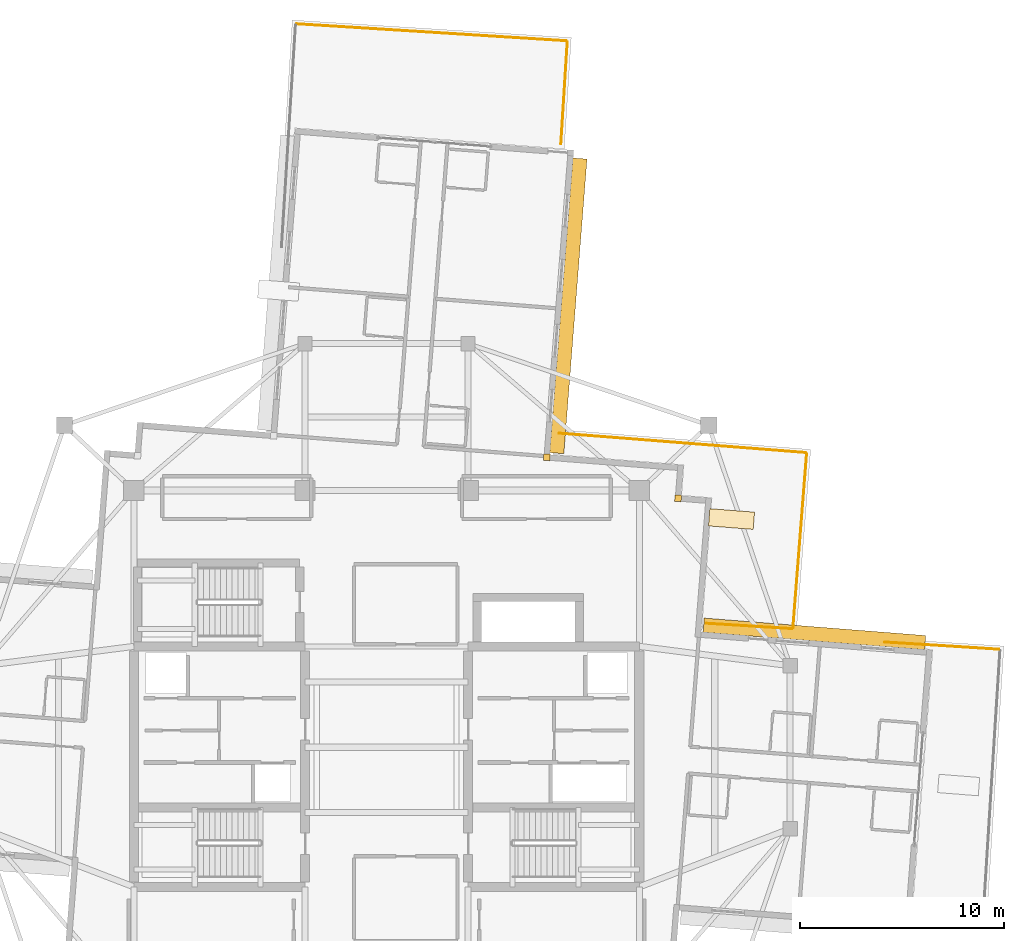
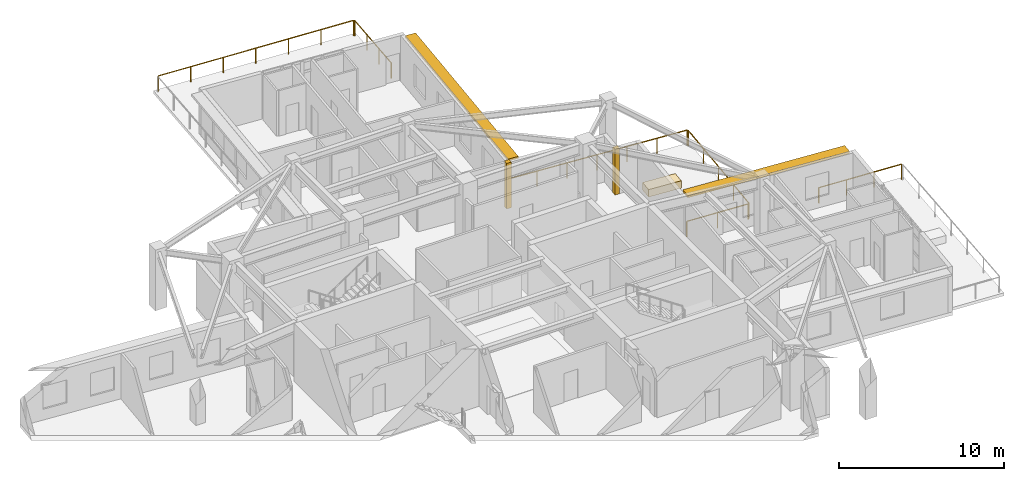
# One storey, part 23 of 23: 6 railings, 3 coverings, 2 shading devices.
"""IFC4 building model written with IfcOpenShell, lengths in metres."""

from ifc_helpers import new_model, si_unit, direction, frame, origin, origin_2d, place, context, subcontext, project, spatial, rectangle, circle, extrude, material, layer, layer_set, type_object, element, save


model = new_model("IFC4")

# Units and contexts
model_context = context("Model", 3, precision=1e-05, world=origin(), true_north=direction((0.0, 1.0)))
body_context = subcontext(model_context, "Body", "Model", "MODEL_VIEW")
ifc_project = project(units=[si_unit("LENGTHUNIT", "METRE"), si_unit("AREAUNIT", "SQUARE_METRE"), si_unit("VOLUMEUNIT", "CUBIC_METRE"), si_unit("PLANEANGLEUNIT", "RADIAN"), si_unit("MASSUNIT", "GRAM", prefix="KILO")], contexts=[model_context])

# Site, building, storey
site_placement = place(None, origin())
site = spatial("IfcSite", under=ifc_project, at=site_placement, CompositionType="ELEMENT")
building_placement = place(site_placement, origin())
building = spatial("IfcBuilding", under=site, at=building_placement, Name="Qingluan Cross Belvedere", CompositionType="ELEMENT")
storey_placement = place(building_placement, frame((0.0, 0.0, 245.39990234375)))
storey = spatial("IfcBuildingStorey", under=building, at=storey_placement, Name="L61", CompositionType="ELEMENT", Elevation=245.39990234375)

# Coverings
ifc_material_1 = material(Name="Precast concrete C45", Category="concrete")
ifc_layer_1 = layer(ifc_material_1, 0.1201171875, Name="ConcreteSpandrelCladding_120")
ifc_layer_set_1 = layer_set([ifc_layer_1], Name="Precast concrete C45")
covering_type_1 = type_object("IfcCoveringType", Name="ConcreteSpandrelCladding_120", PredefinedType="CLADDING", material=ifc_layer_set_1)
for number, where, z_axis, x_axis, name in (
    (1, (14.302490234375, 12.215576171875, 0.000244140625), (0.0, 0.0, 1.0), (0.996917333733, -0.078459095728, 0.0), "Corner closure L61-NE1"),
    (2, (7.860595703125, 14.22705078125, 0.000244140625), (0.0, 0.0, 1.0), (0.996917333733, -0.078459095728, 0.0), "Corner closure L61-NE2"),
):
    element("IfcCovering", number, at=place(storey_placement, frame(where, z_axis=z_axis, x_axis=x_axis)), inside=storey, type_object=covering_type_1, Name=name, PredefinedType="CLADDING", context=body_context, shape_type="SweptSolid", body=[
        extrude(rectangle(XDim=0.320068359375, YDim=0.320068359375, at=origin_2d()), origin(), (0.0, 0.0, 1.0), 3.3798828125),
    ])

# Shading devices
ifc_material_2 = material(Name="Precast concrete C45", Category="concrete")
ifc_layer_2 = layer(ifc_material_2, 0.139892578125, Name="ConcreteSunshadeBand_700")
ifc_layer_set_2 = layer_set([ifc_layer_2], Name="Precast concrete C45")
shading_device_type = type_object("IfcShadingDeviceType", Name="ConcreteSunshadeBand_700", PredefinedType="USERDEFINED", material=ifc_layer_set_2)
shading_device_1_placement = place(storey_placement, frame((20.990966796875, 5.560302734375, 3.2001953125), z_axis=(0.0, 0.0, 1.0), x_axis=(-0.996917315041, 0.078459333231, 0.0)))
element("IfcShadingDevice", 3, at=shading_device_1_placement, inside=storey, type_object=shading_device_type, Name="Concrete SUNSHADE L61-EB", ObjectType="SUNSHADE", PredefinedType="USERDEFINED", context=body_context, shape_type="SweptSolid", body=[
    extrude(rectangle(XDim=10.89990234375, YDim=0.699951171875, at=origin_2d()), origin(), (0.0, 0.0, 1.0), 0.159912109375),
])
shading_device_2_placement = place(storey_placement, frame((8.916748046875, 21.6572265625, 3.2001953125), z_axis=(0.0, 0.0, 1.0), x_axis=(0.078455721862, 0.996917599256, 0.0)))
element("IfcShadingDevice", 4, at=shading_device_2_placement, inside=storey, type_object=shading_device_type, Name="Concrete SUNSHADE L61-NA", ObjectType="SUNSHADE", PredefinedType="USERDEFINED", context=body_context, shape_type="SweptSolid", body=[
    extrude(rectangle(XDim=14.5, YDim=0.699951171875, at=origin_2d()), origin(), (0.0, 0.0, 1.0), 0.159912109375),
])

# Railings
ifc_material_3 = material(Name="Laminated glass and stainless steel balustrade", Category="steel")
railing_type = type_object("IfcRailingType", Name="TerraceGuardBalustrade_1150", PredefinedType="BALUSTRADE", material=ifc_material_3)
railing_1_placement = place(storey_placement, frame((24.447509765625, 5.155029296875, 0.0)))
element("IfcRailing", 5, at=railing_1_placement, inside=storey, type_object=railing_type, Name="Terrace guard L61-1", PredefinedType="BALUSTRADE", context=body_context, shape_type="SweptSolid", body=[
    extrude(circle(Radius=0.02392578125, at=origin_2d()), frame((0.0, 0.0, 1.1259765625), z_axis=(0.998027923751, -0.06277151753, 0.0), x_axis=(0.06277151753, 0.998027923751, 0.0)), (0.0, 0.0, 1.0), 5.6044921875),
    extrude(circle(Radius=0.02099609375, at=origin_2d()), origin(), (0.0, 0.0, 1.0), 1.101806640625),
    extrude(circle(Radius=0.02099609375, at=origin_2d()), frame((1.864501953125, -0.1171875, 0.0)), (0.0, 0.0, 1.0), 1.101806640625),
    extrude(circle(Radius=0.02099609375, at=origin_2d()), frame((3.72900390625, -0.234619140625, 0.0)), (0.0, 0.0, 1.0), 1.101806640625),
    extrude(circle(Radius=0.02099609375, at=origin_2d()), frame((5.593505859375, -0.351806640625, 0.0)), (0.0, 0.0, 1.0), 1.101806640625),
])
railing_2_placement = place(storey_placement, frame((-4.400390625, 35.486328125, 0.0)))
element("IfcRailing", 6, at=railing_2_placement, inside=storey, type_object=railing_type, Name="Terrace guard L61-2", PredefinedType="BALUSTRADE", context=body_context, shape_type="SweptSolid", body=[
    extrude(circle(Radius=0.02392578125, at=origin_2d()), frame((0.0, 0.0, 1.1259765625), z_axis=(0.998026951964, -0.062786966437, 0.0), x_axis=(0.062786966437, 0.998026951964, 0.0)), (0.0, 0.0, 1.0), 13.239990234375),
    extrude(circle(Radius=0.02099609375, at=origin_2d()), origin(), (0.0, 0.0, 1.0), 1.101806640625),
    extrude(circle(Radius=0.02099609375, at=origin_2d()), frame((2.202392578125, -0.138671875, 0.0)), (0.0, 0.0, 1.0), 1.101806640625),
    extrude(circle(Radius=0.02099609375, at=origin_2d()), frame((4.404541015625, -0.277099609375, 0.0)), (0.0, 0.0, 1.0), 1.101806640625),
    extrude(circle(Radius=0.02099609375, at=origin_2d()), frame((6.60693359375, -0.41552734375, 0.0)), (0.0, 0.0, 1.0), 1.101806640625),
    extrude(circle(Radius=0.02099609375, at=origin_2d()), frame((8.809326171875, -0.55419921875, 0.0)), (0.0, 0.0, 1.0), 1.101806640625),
    extrude(circle(Radius=0.02099609375, at=origin_2d()), frame((11.011474609375, -0.69287109375, 0.0)), (0.0, 0.0, 1.0), 1.101806640625),
    extrude(circle(Radius=0.02099609375, at=origin_2d()), frame((13.2138671875, -0.831298828125, 0.0)), (0.0, 0.0, 1.0), 1.101806640625),
])
railing_3_placement = place(storey_placement, frame((8.869384765625, 34.59130859375, 0.0)))
element("IfcRailing", 7, at=railing_3_placement, inside=storey, type_object=railing_type, Name="Terrace guard L61-3", PredefinedType="BALUSTRADE", context=body_context, shape_type="SweptSolid", body=[
    extrude(circle(Radius=0.02392578125, at=origin_2d()), frame((0.0, 0.0, 1.1259765625), z_axis=(-0.062776400829, -0.998027616601, 0.0), x_axis=(0.998027616601, -0.062776400829, 0.0)), (0.0, 0.0, 1.0), 5.001220703125),
    extrude(circle(Radius=0.02099609375, at=origin_2d()), origin(), (0.0, 0.0, 1.0), 1.101806640625),
    extrude(circle(Radius=0.02099609375, at=origin_2d()), frame((-0.104736328125, -1.663818359375, 0.0)), (0.0, 0.0, 1.0), 1.101806640625),
    extrude(circle(Radius=0.02099609375, at=origin_2d()), frame((-0.209228515625, -3.32763671875, 0.0)), (0.0, 0.0, 1.0), 1.101806640625),
    extrude(circle(Radius=0.02099609375, at=origin_2d()), frame((-0.31396484375, -4.991455078125, 0.0)), (0.0, 0.0, 1.0), 1.101806640625),
])
railing_4_placement = place(storey_placement, frame((8.474609375, 15.402587890625, 0.0)))
element("IfcRailing", 8, at=railing_4_placement, inside=storey, type_object=railing_type, Name="Terrace guard L61-1", PredefinedType="BALUSTRADE", context=body_context, shape_type="SweptSolid", body=[
    extrude(circle(Radius=0.02392578125, at=origin_2d()), frame((0.0, 0.0, 1.1259765625), z_axis=(0.996917250968, -0.078460147353, 0.0), x_axis=(0.078460147353, 0.996917250968, 0.0)), (0.0, 0.0, 1.0), 12.119873046875),
    extrude(circle(Radius=0.02099609375, at=origin_2d()), origin(), (0.0, 0.0, 1.0), 1.101806640625),
    extrude(circle(Radius=0.02099609375, at=origin_2d()), frame((2.013671875, -0.158447265625, 0.0)), (0.0, 0.0, 1.0), 1.101806640625),
    extrude(circle(Radius=0.02099609375, at=origin_2d()), frame((4.027587890625, -0.31689453125, 0.0)), (0.0, 0.0, 1.0), 1.101806640625),
    extrude(circle(Radius=0.02099609375, at=origin_2d()), frame((6.041259765625, -0.4755859375, 0.0)), (0.0, 0.0, 1.0), 1.101806640625),
    extrude(circle(Radius=0.02099609375, at=origin_2d()), frame((8.054931640625, -0.634033203125, 0.0)), (0.0, 0.0, 1.0), 1.101806640625),
    extrude(circle(Radius=0.02099609375, at=origin_2d()), frame((10.06884765625, -0.79248046875, 0.0)), (0.0, 0.0, 1.0), 1.101806640625),
    extrude(circle(Radius=0.02099609375, at=origin_2d()), frame((12.08251953125, -0.950927734375, 0.0)), (0.0, 0.0, 1.0), 1.101806640625),
])
railing_5_placement = place(storey_placement, frame((20.6123046875, 14.38720703125, 0.0)))
element("IfcRailing", 9, at=railing_5_placement, inside=storey, type_object=railing_type, Name="Terrace guard L61-2", PredefinedType="BALUSTRADE", context=body_context, shape_type="SweptSolid", body=[
    extrude(circle(Radius=0.02392578125, at=origin_2d()), frame((0.0, 0.0, 1.1259765625), z_axis=(-0.078464098063, -0.996916940028, 0.0), x_axis=(0.996916940028, -0.078464098063, 0.0)), (0.0, 0.0, 1.0), 8.544189453125),
    extrude(circle(Radius=0.02099609375, at=origin_2d()), origin(), (0.0, 0.0, 1.0), 1.101806640625),
    extrude(circle(Radius=0.02099609375, at=origin_2d()), frame((-0.16748046875, -2.12939453125, 0.0)), (0.0, 0.0, 1.0), 1.101806640625),
    extrude(circle(Radius=0.02099609375, at=origin_2d()), frame((-0.335205078125, -4.2587890625, 0.0)), (0.0, 0.0, 1.0), 1.101806640625),
    extrude(circle(Radius=0.02099609375, at=origin_2d()), frame((-0.5029296875, -6.388427734375, 0.0)), (0.0, 0.0, 1.0), 1.101806640625),
    extrude(circle(Radius=0.02099609375, at=origin_2d()), frame((-0.67041015625, -8.517822265625, 0.0)), (0.0, 0.0, 1.0), 1.101806640625),
])
railing_6_placement = place(storey_placement, frame((19.87744140625, 5.813232421875, 0.0)))
element("IfcRailing", 10, at=railing_6_placement, inside=storey, type_object=railing_type, Name="Terrace guard L61-3", PredefinedType="BALUSTRADE", context=body_context, shape_type="SweptSolid", body=[
    extrude(circle(Radius=0.02392578125, at=origin_2d()), frame((0.0, 0.0, 1.1259765625), z_axis=(-0.998025378814, 0.062811967357, 0.0), x_axis=(-0.062811967357, -0.998025378814, 0.0)), (0.0, 0.0, 1.0), 4.170654296875),
    extrude(circle(Radius=0.02099609375, at=origin_2d()), origin(), (0.0, 0.0, 1.0), 1.101806640625),
    extrude(circle(Radius=0.02099609375, at=origin_2d()), frame((-2.0810546875, 0.130859375, 0.0)), (0.0, 0.0, 1.0), 1.101806640625),
    extrude(circle(Radius=0.02099609375, at=origin_2d()), frame((-4.162353515625, 0.261962890625, 0.0)), (0.0, 0.0, 1.0), 1.101806640625),
])

# Covering
ifc_material_4 = material(Name="Precast concrete C40", Category="concrete")
ifc_layer_3 = layer(ifc_material_4, 0.550048828125, Name="TerracePlanterBox")
ifc_layer_set_3 = layer_set([ifc_layer_3], Name="Precast concrete C40")
covering_type_2 = type_object("IfcCoveringType", Name="TerracePlanterBox", PredefinedType="USERDEFINED", material=ifc_layer_set_3)
covering_placement = place(storey_placement, frame((16.923095703125, 11.197021484375, 0.0), z_axis=(0.0, 0.0, 1.0), x_axis=(0.996917333733, -0.078459095728, 0.0)))
element("IfcCovering", 11, at=covering_placement, inside=storey, type_object=covering_type_2, Name="Spiralling winter-garden planter L61", ObjectType="PLANTER", PredefinedType="USERDEFINED", context=body_context, shape_type="SweptSolid", body=[
    extrude(rectangle(XDim=2.199951171875, YDim=0.85009765625, at=origin_2d()), origin(), (0.0, 0.0, 1.0), 0.550048828125),
])

save(model, "model.ifc")
